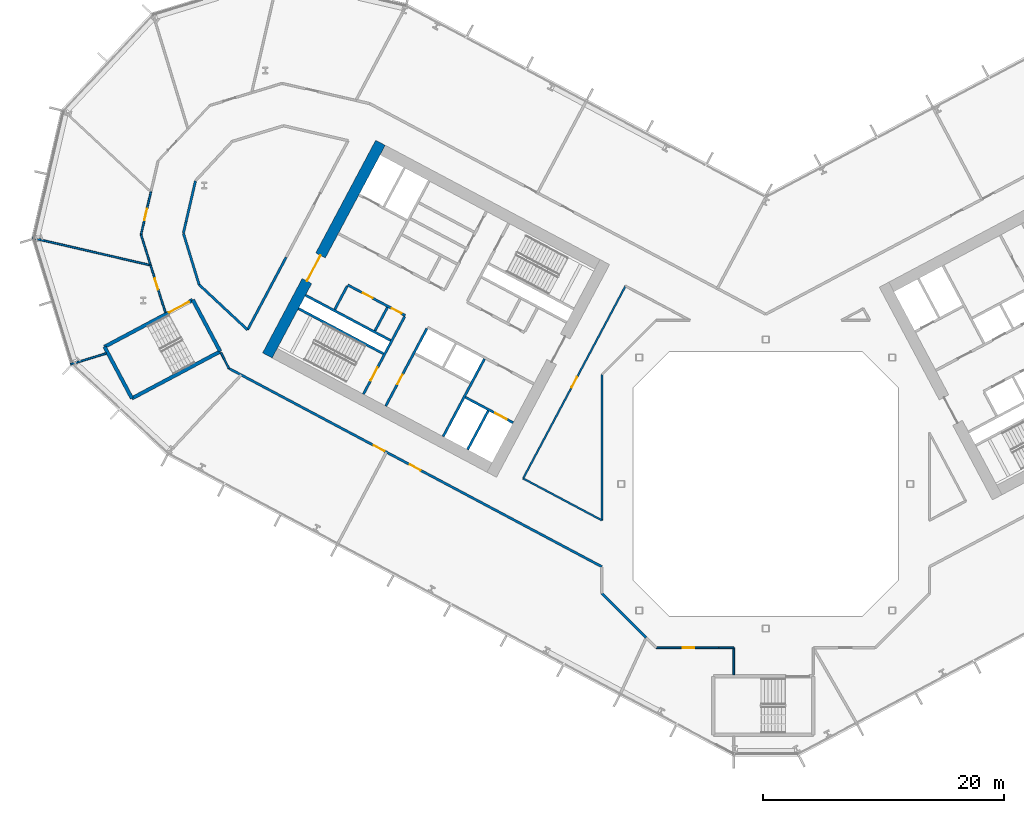
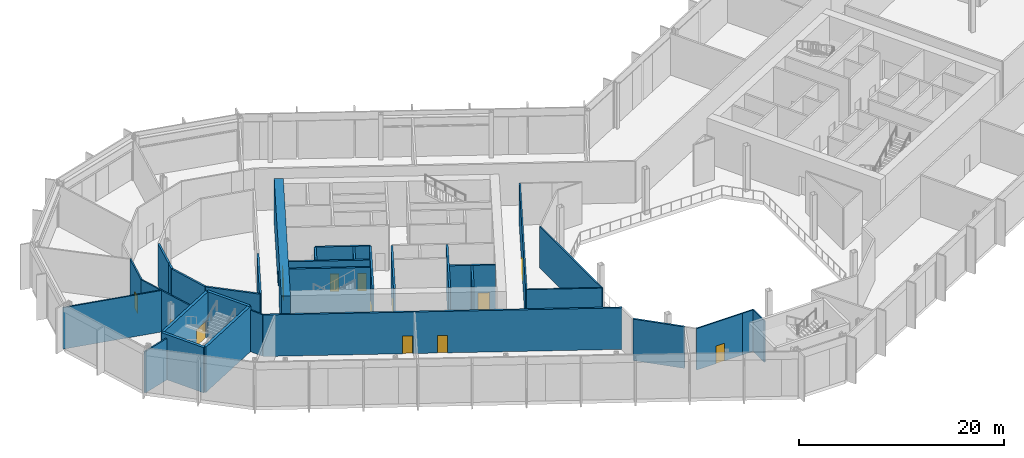
# One storey, part 12 of 31: 34 walls, 13 doors, 13 openings.
"""IFC4 building model written with IfcOpenShell, lengths in metres."""

from ifc_helpers import new_model, si_unit, direction, frame, frame_2d, origin, place, context, subcontext, project, spatial, rectangle, extrude, material, layer, layer_set, type_object, element, fill, save


model = new_model("IFC4")

# Units and contexts
model_context = context("Model", 3, precision=1e-05, world=origin(), true_north=direction((0.0, 1.0)))
body_context = subcontext(model_context, "Body", "Model", "MODEL_VIEW")
ifc_project = project(units=[si_unit("LENGTHUNIT", "METRE"), si_unit("AREAUNIT", "SQUARE_METRE"), si_unit("VOLUMEUNIT", "CUBIC_METRE"), si_unit("PLANEANGLEUNIT", "RADIAN"), si_unit("MASSUNIT", "GRAM", prefix="KILO")], contexts=[model_context])

# Site, building, storey
site_placement = place(None, origin())
site = spatial("IfcSite", under=ifc_project, at=site_placement, CompositionType="ELEMENT")
building_placement = place(site_placement, origin())
building = spatial("IfcBuilding", under=site, at=building_placement, Name="Cormorant Relay Tower", CompositionType="ELEMENT")
storey_placement = place(building_placement, frame((0.0, 0.0, 50.0)))
storey = spatial("IfcBuildingStorey", under=building, at=storey_placement, Name="L09", CompositionType="ELEMENT", Elevation=50.0)

# Walls
ifc_material_1 = material(Name="Concrete 40 MPa", Category="concrete")
ifc_layer_1 = layer(ifc_material_1, 0.199951171875)
ifc_layer_set_1 = layer_set([ifc_layer_1], Name="Core internal wall 200")
wall_type_1 = type_object("IfcWallType", Name="Core internal wall 200", PredefinedType="SOLIDWALL", material=ifc_layer_set_1)
wall_1_placement = place(storey_placement, frame((-31.41259765625, 14.663818359375, 0.0), z_axis=(0.0, 0.0, 1.0), x_axis=(-0.469533832133, -0.882914480843, 0.0)))
element("IfcWall", 1, at=wall_1_placement, inside=storey, type_object=wall_type_1, Name="L09 core A shaft and room wall", PredefinedType="SOLIDWALL", context=body_context, shape_type="SweptSolid", body=[
    extrude(rectangle(XDim=2.199951171875, YDim=0.199951171875, at=frame_2d((1.10009765625, 0.0))), origin(), (0.0, 0.0, 1.0), 5.39990234375),
])
ifc_material_2 = material(Name="Concrete 50 MPa", Category="concrete")
ifc_layer_2 = layer(ifc_material_2, 0.199951171875)
ifc_layer_set_2 = layer_set([ifc_layer_2], Name="Core shaft wall 200")
wall_type_2 = type_object("IfcWallType", Name="Core shaft wall 200", PredefinedType="SHEAR", material=ifc_layer_set_2)
wall_2_placement = place(storey_placement, frame((-23.04296875, 6.07958984375, 0.0), z_axis=(0.0, 0.0, 1.0), x_axis=(-0.469494272526, -0.882935517501, 0.0)))
element("IfcWall", 2, at=wall_2_placement, inside=storey, type_object=wall_type_2, Name="L09 core A shaft wall", PredefinedType="SHEAR", context=body_context, shape_type="SweptSolid", body=[
    extrude(rectangle(XDim=3.64990234375, YDim=0.199951171875, at=frame_2d((1.824951171875, 0.0))), origin(), (0.0, 0.0, 1.0), 5.39990234375),
])
wall_3_placement = place(storey_placement, frame((-23.360107421875, 10.38232421875, 0.0), z_axis=(0.0, 0.0, 1.0), x_axis=(-0.469480409012, -0.88294288918, 0.0)))
element("IfcWall", 3, at=wall_3_placement, inside=storey, type_object=wall_type_2, Name="L09 core A shaft wall", PredefinedType="SHEAR", context=body_context, shape_type="SweptSolid", body=[
    extrude(rectangle(XDim=7.300048828125, YDim=0.199951171875, at=frame_2d((3.64990234375, 0.0))), origin(), (0.0, 0.0, 1.0), 5.39990234375),
])

# Wall, opening, door
wall_4_placement = place(storey_placement, frame((-28.128173828125, 12.91748046875, 0.0), z_axis=(0.0, 0.0, 1.0), x_axis=(-0.469454336211, -0.882956752176, 0.0)))
wall_4 = element("IfcWall", 4, at=wall_4_placement, inside=storey, type_object=wall_type_2, Name="L09 core A shaft wall", PredefinedType="SHEAR", context=body_context, shape_type="SweptSolid", body=[
    extrude(rectangle(XDim=7.300048828125, YDim=0.199951171875, at=frame_2d((3.64990234375, 0.0))), origin(), (0.0, 0.0, 1.0), 5.39990234375),
])
opening_1_placement = place(wall_4_placement, frame((4.35009765625, 0.0, 0.0)))
opening_1 = element("IfcOpeningElement", 5, at=opening_1_placement, cuts=wall_4, Name="Opening CDD-096", PredefinedType="OPENING", context=body_context, shape_type="SweptSolid", body=[
    extrude(rectangle(XDim=0.89990234375, YDim=2.10009765625, at=frame_2d((0.449951171875, 1.050048828125))), frame((0.0, 0.10986328125, 0.0), z_axis=(0.0, -1.0, 0.0), x_axis=(1.0, 0.0, 0.0)), (0.0, 0.0, 1.0), 0.219970703125),
])
ifc_material_3 = material(Name="Steel fire door", Category="steel")
door_type_1 = type_object("IfcDoorType", Name="Core room door 900x2100", OperationType="SINGLE_SWING_LEFT", PredefinedType="DOOR", material=ifc_material_3)
door_1_placement = place(opening_1_placement, origin())
door_1 = element("IfcDoor", 6, at=door_1_placement, inside=storey, type_object=door_type_1, Name="Core room door 900x2100", OperationType="SINGLE_SWING_LEFT", OverallHeight=2.10009765625, OverallWidth=0.89990234375, PredefinedType="DOOR", context=body_context, shape_type="SweptSolid", body=[
    extrude(rectangle(XDim=0.89990234375, YDim=2.10009765625, at=frame_2d((0.449951171875, 1.050048828125))), frame((0.0, 0.02490234375, 0.0), z_axis=(0.0, -1.0, 0.0), x_axis=(1.0, 0.0, 0.0)), (0.0, 0.0, 1.0), 0.050048828125),
])
fill(opening_1, door_1)

wall_5_placement = place(storey_placement, frame((-29.982421875, 13.9033203125, 0.0), z_axis=(0.0, 0.0, 1.0), x_axis=(-0.469454336211, -0.882956752176, 0.0)))
wall_5 = element("IfcWall", 7, at=wall_5_placement, inside=storey, type_object=wall_type_2, Name="L09 core A shaft wall", PredefinedType="SHEAR", context=body_context, shape_type="SweptSolid", body=[
    extrude(rectangle(XDim=7.300048828125, YDim=0.199951171875, at=frame_2d((3.64990234375, 0.0))), origin(), (0.0, 0.0, 1.0), 5.39990234375),
])
opening_2_placement = place(wall_5_placement, frame((4.800048828125, 0.0, 0.0)))
opening_2 = element("IfcOpeningElement", 8, at=opening_2_placement, cuts=wall_5, Name="Opening CDB-020", PredefinedType="OPENING", context=body_context, shape_type="SweptSolid", body=[
    extrude(rectangle(XDim=1.199951171875, YDim=2.10009765625, at=frame_2d((0.60009765625, 1.050048828125))), frame((0.0, 0.10986328125, 0.0), z_axis=(0.0, -1.0, 0.0), x_axis=(1.0, 0.0, 0.0)), (0.0, 0.0, 1.0), 0.219970703125),
])
ifc_material_4 = material(Name="Steel fire door", Category="steel")
door_type_2 = type_object("IfcDoorType", Name="Core stair door 1200x2100", OperationType="SINGLE_SWING_LEFT", PredefinedType="DOOR", material=ifc_material_4)
door_2_placement = place(opening_2_placement, frame((1.199951171875, 0.0, 0.0), z_axis=(0.0, 0.0, 1.0), x_axis=(-1.0, 0.0, 0.0)))
door_2 = element("IfcDoor", 9, at=door_2_placement, inside=storey, type_object=door_type_2, Name="Core stair door 1200x2100", OperationType="SINGLE_SWING_RIGHT", OverallHeight=2.10009765625, OverallWidth=1.199951171875, PredefinedType="DOOR", context=body_context, shape_type="SweptSolid", body=[
    extrude(rectangle(XDim=1.199951171875, YDim=2.10009765625, at=frame_2d((0.60009765625, 1.050048828125))), frame((0.0, 0.02490234375, 0.0), z_axis=(0.0, -1.0, 0.0), x_axis=(1.0, 0.0, 0.0)), (0.0, 0.0, 1.0), 0.050048828125),
])
fill(opening_2, door_2)

# Wall
wall_6_placement = place(storey_placement, frame((-34.750244140625, 16.4384765625, 0.0), z_axis=(0.0, 0.0, 1.0), x_axis=(-0.469401318492, -0.882984938828, 0.0)))
element("IfcWall", 10, at=wall_6_placement, inside=storey, type_object=wall_type_2, Name="L09 core A shaft wall", PredefinedType="SHEAR", context=body_context, shape_type="SweptSolid", body=[
    extrude(rectangle(XDim=2.199951171875, YDim=0.199951171875, at=frame_2d((1.10009765625, 0.0))), origin(), (0.0, 0.0, 1.0), 5.39990234375),
])

# Wall, openings, doors
wall_7_placement = place(storey_placement, frame((-29.935302734375, 13.991455078125, 0.0), z_axis=(0.0, 0.0, 1.0), x_axis=(-0.882952937579, 0.469461510692, 0.0)))
wall_7 = element("IfcWall", 11, at=wall_7_placement, inside=storey, type_object=wall_type_2, Name="L09 core A shaft wall", PredefinedType="SHEAR", context=body_context, shape_type="SweptSolid", body=[
    extrude(rectangle(XDim=5.400146484375, YDim=0.199951171875, at=frame_2d((2.7001953125, 0.0))), origin(), (0.0, 0.0, 1.0), 5.39990234375),
])
opening_3_placement = place(wall_7_placement, frame((0.360107421875, 0.0, 0.0)))
opening_3 = element("IfcOpeningElement", 12, at=opening_3_placement, cuts=wall_7, Name="Opening CDD-063", PredefinedType="OPENING", context=body_context, shape_type="SweptSolid", body=[
    extrude(rectangle(XDim=0.89990234375, YDim=2.10009765625, at=frame_2d((0.449951171875, 1.050048828125))), frame((0.0, 0.10986328125, 0.0), z_axis=(0.0, -1.0, 0.0), x_axis=(1.0, 0.0, 0.0)), (0.0, 0.0, 1.0), 0.219970703125),
])
opening_4_placement = place(wall_7_placement, frame((3.06005859375, 0.0, 0.0)))
opening_4 = element("IfcOpeningElement", 13, at=opening_4_placement, cuts=wall_7, Name="Opening CDD-064", PredefinedType="OPENING", context=body_context, shape_type="SweptSolid", body=[
    extrude(rectangle(XDim=0.89990234375, YDim=2.10009765625, at=frame_2d((0.449951171875, 1.050048828125))), frame((0.0, 0.10986328125, 0.0), z_axis=(0.0, -1.0, 0.0), x_axis=(1.0, 0.0, 0.0)), (0.0, 0.0, 1.0), 0.219970703125),
])
door_3_placement = place(opening_3_placement, origin())
door_3 = element("IfcDoor", 14, at=door_3_placement, inside=storey, type_object=door_type_1, Name="Core room door 900x2100", OperationType="SINGLE_SWING_LEFT", OverallHeight=2.10009765625, OverallWidth=0.89990234375, PredefinedType="DOOR", context=body_context, shape_type="SweptSolid", body=[
    extrude(rectangle(XDim=0.89990234375, YDim=2.10009765625, at=frame_2d((0.449951171875, 1.050048828125))), frame((0.0, 0.02490234375, 0.0), z_axis=(0.0, -1.0, 0.0), x_axis=(1.0, 0.0, 0.0)), (0.0, 0.0, 1.0), 0.050048828125),
])
fill(opening_3, door_3)
door_4_placement = place(opening_4_placement, origin())
door_4 = element("IfcDoor", 15, at=door_4_placement, inside=storey, type_object=door_type_1, Name="Core room door 900x2100", OperationType="SINGLE_SWING_LEFT", OverallHeight=2.10009765625, OverallWidth=0.89990234375, PredefinedType="DOOR", context=body_context, shape_type="SweptSolid", body=[
    extrude(rectangle(XDim=0.89990234375, YDim=2.10009765625, at=frame_2d((0.449951171875, 1.050048828125))), frame((0.0, 0.02490234375, 0.0), z_axis=(0.0, -1.0, 0.0), x_axis=(1.0, 0.0, 0.0)), (0.0, 0.0, 1.0), 0.050048828125),
])
fill(opening_4, door_4)

# Wall
wall_8_placement = place(storey_placement, frame((-31.150390625, 11.91943359375, 0.0), z_axis=(0.0, 0.0, 1.0), x_axis=(-0.882940221191, 0.469485426614, 0.0)))
element("IfcWall", 16, at=wall_8_placement, inside=storey, type_object=wall_type_2, Name="L09 core A shaft wall", PredefinedType="SHEAR", context=body_context, shape_type="SweptSolid", body=[
    extrude(rectangle(XDim=8.0, YDim=0.199951171875, at=frame_2d((4.0, 0.0))), origin(), (0.0, 0.0, 1.0), 5.39990234375),
])

# Wall, opening, door
wall_9_placement = place(storey_placement, frame((-20.96533203125, 5.088134765625, 0.0), z_axis=(0.0, 0.0, 1.0), x_axis=(-0.882925986334, 0.469512196493, 0.0)))
wall_9 = element("IfcWall", 17, at=wall_9_placement, inside=storey, type_object=wall_type_2, Name="L09 core A shaft wall", PredefinedType="SHEAR", context=body_context, shape_type="SweptSolid", body=[
    extrude(rectangle(XDim=4.5, YDim=0.199951171875, at=frame_2d((2.25, 0.0))), origin(), (0.0, 0.0, 1.0), 5.39990234375),
])
opening_5_placement = place(wall_9_placement, frame((0.60009765625, 0.0, 0.0)))
opening_5 = element("IfcOpeningElement", 18, at=opening_5_placement, cuts=wall_9, Name="Opening LD1-019", PredefinedType="OPENING", context=body_context, shape_type="SweptSolid", body=[
    extrude(rectangle(XDim=1.10009765625, YDim=2.10009765625, at=frame_2d((0.550048828125, 1.050048828125))), frame((0.0, 0.10986328125, 0.0), z_axis=(0.0, -1.0, 0.0), x_axis=(1.0, 0.0, 0.0)), (0.0, 0.0, 1.0), 0.219970703125),
])
ifc_material_5 = material(Name="Stainless steel 316", Category="steel")
door_type_3 = type_object("IfcDoorType", Name="Lift landing door 1100x2100", OperationType="DOUBLE_DOOR_SLIDING", PredefinedType="DOOR", material=ifc_material_5)
door_5_placement = place(opening_5_placement, origin())
door_5 = element("IfcDoor", 19, at=door_5_placement, inside=storey, type_object=door_type_3, Name="FF1 landing door", OperationType="DOUBLE_DOOR_SLIDING", OverallHeight=2.10009765625, OverallWidth=1.10009765625, PredefinedType="DOOR", context=body_context, shape_type="SweptSolid", body=[
    extrude(rectangle(XDim=1.10009765625, YDim=2.10009765625, at=frame_2d((0.550048828125, 1.050048828125))), frame((0.0, 0.02490234375, 0.0), z_axis=(0.0, -1.0, 0.0), x_axis=(1.0, 0.0, 0.0)), (0.0, 0.0, 1.0), 0.050048828125),
])
fill(opening_5, door_5)

# Wall
wall_10_placement = place(storey_placement, frame((-31.7373046875, 10.815673828125, 0.0), z_axis=(0.0, 0.0, 1.0), x_axis=(-0.882940221191, 0.469485426614, 0.0)))
element("IfcWall", 20, at=wall_10_placement, inside=storey, type_object=wall_type_2, Name="L09 core A shaft wall", PredefinedType="SHEAR", context=body_context, shape_type="SweptSolid", body=[
    extrude(rectangle(XDim=8.0, YDim=0.199951171875, at=frame_2d((4.0, 0.0))), origin(), (0.0, 0.0, 1.0), 5.39990234375),
])

# Wall, opening, door
ifc_material_6 = material(Name="Concrete 70 MPa", Category="concrete")
ifc_layer_3 = layer(ifc_material_6, 0.89990234375)
ifc_layer_set_3 = layer_set([ifc_layer_3], Name="Core wall 900")
wall_type_3 = type_object("IfcWallType", Name="Core wall 900", PredefinedType="SHEAR", material=ifc_layer_set_3)
wall_11_placement = place(storey_placement, frame((-31.99169921875, 28.3359375, 0.0), z_axis=(0.0, 0.0, 1.0), x_axis=(-0.46947084998, -0.882947971864, 0.0)))
wall_11 = element("IfcWall", 21, at=wall_11_placement, inside=storey, type_object=wall_type_3, Name="L09 core A wall", PredefinedType="SHEAR", context=body_context, shape_type="SweptSolid", body=[
    extrude(rectangle(XDim=20.0, YDim=0.89990234375, at=frame_2d((10.0, 0.0))), origin(), (0.0, 0.0, 1.0), 5.39990234375),
])
opening_6_placement = place(wall_11_placement, frame((10.60009765625, 0.0, 0.0)))
opening_6 = element("IfcOpeningElement", 22, at=opening_6_placement, cuts=wall_11, Name="Opening CDA-014", PredefinedType="OPENING", context=body_context, shape_type="SweptSolid", body=[
    extrude(rectangle(XDim=2.39990234375, YDim=2.39990234375, at=frame_2d((1.199951171875, 1.199951171875))), frame((0.0, 0.4599609375, 0.0), z_axis=(0.0, -1.0, 0.0), x_axis=(1.0, 0.0, 0.0)), (0.0, 0.0, 1.0), 0.919921875),
])
ifc_material_7 = material(Name="Steel fire door", Category="steel")
door_type_4 = type_object("IfcDoorType", Name="Core lobby door 2400x2400", OperationType="DOUBLE_DOOR_SINGLE_SWING", PredefinedType="DOOR", material=ifc_material_7)
door_6_placement = place(opening_6_placement, origin())
door_6 = element("IfcDoor", 23, at=door_6_placement, inside=storey, type_object=door_type_4, Name="Core lobby door 2400x2400", OperationType="DOUBLE_DOOR_SINGLE_SWING", OverallHeight=2.39990234375, OverallWidth=2.39990234375, PredefinedType="DOOR", context=body_context, shape_type="SweptSolid", body=[
    extrude(rectangle(XDim=2.39990234375, YDim=2.39990234375, at=frame_2d((1.199951171875, 1.199951171875))), frame((0.0, 0.02490234375, 0.0), z_axis=(0.0, -1.0, 0.0), x_axis=(1.0, 0.0, 0.0)), (0.0, 0.0, 1.0), 0.050048828125),
])
fill(opening_6, door_6)

# Walls
ifc_material_8 = material(Name="Fire-rated gypsum board partition")
ifc_layer_4 = layer(ifc_material_8, 0.199951171875)
ifc_layer_set_4 = layer_set([ifc_layer_4], Name="Fire-rated gypsum partition 200")
wall_type_4 = type_object("IfcWallType", Name="Fire-rated gypsum partition 200", PredefinedType="PARTITIONING", material=ifc_layer_set_4)
wall_12_placement = place(storey_placement, frame((-48.137939453125, 21.76806640625, 0.0), z_axis=(0.0, 0.0, 1.0), x_axis=(0.224910471472, 0.974379433189, 0.0)))
element("IfcWall", 24, at=wall_12_placement, inside=storey, type_object=wall_type_4, Name="wall/L09/part/12", PredefinedType="PARTITIONING", context=body_context, shape_type="SweptSolid", body=[
    extrude(rectangle(XDim=3.49853515625, YDim=0.199951171875, at=frame_2d((1.749267578125, 0.0))), origin(), (0.0, 0.0, 1.0), 4.949951171875),
])
wall_13_placement = place(storey_placement, frame((-43.02587890625, 12.802001953125, 0.0), z_axis=(0.0, 0.0, 1.0), x_axis=(-0.731412266015, 0.68193555203, 0.0)))
element("IfcWall", 25, at=wall_13_placement, inside=storey, type_object=wall_type_4, Name="wall/L09/part/14", PredefinedType="PARTITIONING", context=body_context, shape_type="SweptSolid", body=[
    extrude(rectangle(XDim=5.501953125, YDim=0.199951171875, at=frame_2d((2.7509765625, 0.0))), origin(), (0.0, 0.0, 1.0), 4.949951171875),
])
wall_14_placement = place(storey_placement, frame((-47.050048828125, 16.553955078125, 0.0), z_axis=(0.0, 0.0, 1.0), x_axis=(-0.292399072869, 0.956296388253, 0.0)))
element("IfcWall", 26, at=wall_14_placement, inside=storey, type_object=wall_type_4, Name="wall/L09/part/15", PredefinedType="PARTITIONING", context=body_context, shape_type="SweptSolid", body=[
    extrude(rectangle(XDim=4.466064453125, YDim=0.199951171875, at=frame_2d((2.23291015625, 0.0))), origin(), (0.0, 0.0, 1.0), 4.949951171875),
])
wall_15_placement = place(storey_placement, frame((-48.35595703125, 20.824951171875, 0.0), z_axis=(0.0, 0.0, 1.0), x_axis=(0.225227894395, 0.974306109796, 0.0)))
element("IfcWall", 27, at=wall_15_placement, inside=storey, type_object=wall_type_4, Name="wall/L09/part/16", PredefinedType="PARTITIONING", context=body_context, shape_type="SweptSolid", body=[
    extrude(rectangle(XDim=0.968017578125, YDim=0.199951171875, at=frame_2d((0.48388671875, 0.0))), origin(), (0.0, 0.0, 1.0), 4.949951171875),
])

# Wall, openings, doors
wall_16_placement = place(storey_placement, frame((-13.60009765625, -6.868896484375, 0.0), z_axis=(0.0, 0.0, 1.0), x_axis=(-0.88295406426, 0.469459391648, 0.0)))
wall_16 = element("IfcWall", 28, at=wall_16_placement, inside=storey, type_object=wall_type_4, Name="wall/L09/part/21", PredefinedType="PARTITIONING", context=body_context, shape_type="SweptSolid", body=[
    extrude(rectangle(XDim=35.091064453125, YDim=0.199951171875, at=frame_2d((17.54541015625, 0.0))), origin(), (0.0, 0.0, 1.0), 4.949951171875),
])
opening_7_placement = place(wall_16_placement, frame((20.449951171875, 0.0, 0.0)))
opening_7 = element("IfcOpeningElement", 29, at=opening_7_placement, cuts=wall_16, Name="Opening FD1-051", PredefinedType="OPENING", context=body_context, shape_type="SweptSolid", body=[
    extrude(rectangle(XDim=1.0, YDim=2.10009765625, at=frame_2d((0.5, 1.050048828125))), frame((0.0, 0.10986328125, 0.0), z_axis=(0.0, -1.0, 0.0), x_axis=(1.0, 0.0, 0.0)), (0.0, 0.0, 1.0), 0.219970703125),
])
opening_8_placement = place(wall_16_placement, frame((17.050048828125, 0.0, 0.0)))
opening_8 = element("IfcOpeningElement", 30, at=opening_8_placement, cuts=wall_16, Name="Opening FD1-052", PredefinedType="OPENING", context=body_context, shape_type="SweptSolid", body=[
    extrude(rectangle(XDim=1.0, YDim=2.10009765625, at=frame_2d((0.5, 1.050048828125))), frame((0.0, 0.10986328125, 0.0), z_axis=(0.0, -1.0, 0.0), x_axis=(1.0, 0.0, 0.0)), (0.0, 0.0, 1.0), 0.219970703125),
])
ifc_material_9 = material(Name="Fire-rated steel door", Category="steel")
door_type_5 = type_object("IfcDoorType", Name="Fire door 1000 x 2100", OperationType="SINGLE_SWING_LEFT", PredefinedType="DOOR", material=ifc_material_9)
door_7_placement = place(opening_7_placement, origin())
door_7 = element("IfcDoor", 31, at=door_7_placement, inside=storey, type_object=door_type_5, Name="door/L09/18", OperationType="SINGLE_SWING_LEFT", OverallHeight=2.10009765625, OverallWidth=1.0, PredefinedType="DOOR", context=body_context, shape_type="SweptSolid", body=[
    extrude(rectangle(XDim=1.0, YDim=2.10009765625, at=frame_2d((0.5, 1.050048828125))), frame((0.0, 0.02490234375, 0.0), z_axis=(0.0, -1.0, 0.0), x_axis=(1.0, 0.0, 0.0)), (0.0, 0.0, 1.0), 0.050048828125),
])
fill(opening_7, door_7)
door_8_placement = place(opening_8_placement, origin())
door_8 = element("IfcDoor", 32, at=door_8_placement, inside=storey, type_object=door_type_5, Name="door/L09/19", OperationType="SINGLE_SWING_LEFT", OverallHeight=2.10009765625, OverallWidth=1.0, PredefinedType="DOOR", context=body_context, shape_type="SweptSolid", body=[
    extrude(rectangle(XDim=1.0, YDim=2.10009765625, at=frame_2d((0.5, 1.050048828125))), frame((0.0, 0.02490234375, 0.0), z_axis=(0.0, -1.0, 0.0), x_axis=(1.0, 0.0, 0.0)), (0.0, 0.0, 1.0), 0.050048828125),
])
fill(opening_8, door_8)

# Walls
wall_17_placement = place(storey_placement, frame((-39.825927734375, 18.820068359375, 0.0), z_axis=(0.0, 0.0, 1.0), x_axis=(-0.469481685648, -0.882942210363, 0.0)))
element("IfcWall", 33, at=wall_17_placement, inside=storey, type_object=wall_type_4, Name="wall/L09/part/23", PredefinedType="PARTITIONING", context=body_context, shape_type="SweptSolid", body=[
    extrude(rectangle(XDim=6.81591796875, YDim=0.199951171875, at=frame_2d((3.407958984375, 0.0))), origin(), (0.0, 0.0, 1.0), 4.949951171875),
])
wall_18_placement = place(storey_placement, frame((-9.91796875, -12.759033203125, 0.0), z_axis=(0.0, 0.0, 1.0), x_axis=(-0.707106781187, 0.707106781187, 0.0)))
element("IfcWall", 34, at=wall_18_placement, inside=storey, type_object=wall_type_4, Name="wall/L09/part/39", PredefinedType="PARTITIONING", context=body_context, shape_type="SweptSolid", body=[
    extrude(rectangle(XDim=5.207275390625, YDim=0.199951171875, at=frame_2d((2.603515625, 0.0))), origin(), (0.0, 0.0, 1.0), 4.949951171875),
])
ifc_material_10 = material(Name="Gypsum board partition")
ifc_layer_5 = layer(ifc_material_10, 0.14990234375)
ifc_layer_set_5 = layer_set([ifc_layer_5], Name="Gypsum board partition 150")
wall_type_5 = type_object("IfcWallType", Name="Gypsum board partition 150", PredefinedType="PARTITIONING", material=ifc_layer_set_5)
wall_19_placement = place(storey_placement, frame((-51.080078125, 18.16796875, 0.0), z_axis=(0.0, 0.0, 1.0), x_axis=(-0.974375306075, 0.224928350615, 0.0)))
element("IfcWall", 35, at=wall_19_placement, inside=storey, type_object=wall_type_5, Name="wall/L09/part/1", PredefinedType="PARTITIONING", context=body_context, shape_type="SweptSolid", body=[
    extrude(rectangle(XDim=10.100830078125, YDim=0.14990234375, at=frame_2d((5.05029296875, 0.0))), origin(), (0.0, 0.0, 1.0), 4.949951171875),
])
wall_20_placement = place(storey_placement, frame((-54.7607421875, 10.847900390625, 0.0), z_axis=(0.0, 0.0, 1.0), x_axis=(-0.956301064033, -0.29238378021, 0.0)))
element("IfcWall", 36, at=wall_20_placement, inside=storey, type_object=wall_type_5, Name="wall/L09/part/3", PredefinedType="PARTITIONING", context=body_context, shape_type="SweptSolid", body=[
    extrude(rectangle(XDim=3.115478515625, YDim=0.14990234375, at=frame_2d((1.5576171875, 0.0))), origin(), (0.0, 0.0, 1.0), 4.949951171875),
])

# Wall, opening, door
wall_21_placement = place(storey_placement, frame((-51.041015625, 24.31103515625, 0.0), z_axis=(0.0, 0.0, 1.0), x_axis=(-0.224893203367, -0.974383418927, 0.0)))
wall_21 = element("IfcWall", 37, at=wall_21_placement, inside=storey, type_object=wall_type_5, Name="wall/L09/part/4", PredefinedType="PARTITIONING", context=body_context, shape_type="SweptSolid", body=[
    extrude(rectangle(XDim=3.7041015625, YDim=0.14990234375, at=frame_2d((1.85205078125, 0.0))), origin(), (0.0, 0.0, 1.0), 4.949951171875),
])
opening_9_placement = place(wall_21_placement, frame((1.48193359375, 0.0, 0.0)))
opening_9 = element("IfcOpeningElement", 38, at=opening_9_placement, cuts=wall_21, Name="Opening D1-020", PredefinedType="OPENING", context=body_context, shape_type="SweptSolid", body=[
    extrude(rectangle(XDim=1.0, YDim=2.10009765625, at=frame_2d((0.5, 1.050048828125))), frame((0.0, 0.0849609375, 0.0), z_axis=(0.0, -1.0, 0.0), x_axis=(1.0, 0.0, 0.0)), (0.0, 0.0, 1.0), 0.169921875),
])
ifc_material_11 = material(Name="Painted steel door", Category="steel")
door_type_6 = type_object("IfcDoorType", Name="Single door 1000 x 2100", OperationType="SINGLE_SWING_LEFT", PredefinedType="DOOR", material=ifc_material_11)
door_9_placement = place(opening_9_placement, frame((1.0, 0.0, 0.0), z_axis=(0.0, 0.0, 1.0), x_axis=(-1.0, 0.0, 0.0)))
door_9 = element("IfcDoor", 39, at=door_9_placement, inside=storey, type_object=door_type_6, Name="door/L09/16", OperationType="SINGLE_SWING_RIGHT", OverallHeight=2.10009765625, OverallWidth=1.0, PredefinedType="DOOR", context=body_context, shape_type="SweptSolid", body=[
    extrude(rectangle(XDim=1.0, YDim=2.10009765625, at=frame_2d((0.5, 1.050048828125))), frame((0.0, 0.02490234375, 0.0), z_axis=(0.0, -1.0, 0.0), x_axis=(1.0, 0.0, 0.0)), (0.0, 0.0, 1.0), 0.050048828125),
])
fill(opening_9, door_9)

# Wall
wall_22_placement = place(storey_placement, frame((-51.8740234375, 20.701904296875, 0.0), z_axis=(0.0, 0.0, 1.0), x_axis=(0.299019355328, -0.954247046178, 0.0)))
element("IfcWall", 40, at=wall_22_placement, inside=storey, type_object=wall_type_5, Name="wall/L09/part/5", PredefinedType="PARTITIONING", context=body_context, shape_type="SweptSolid", body=[
    extrude(rectangle(XDim=2.595458984375, YDim=0.14990234375, at=frame_2d((1.2978515625, 0.0))), origin(), (0.0, 0.0, 1.0), 4.949951171875),
])

# Wall, opening, door
wall_23_placement = place(storey_placement, frame((-49.847412109375, 14.233642578125, 0.0), z_axis=(0.0, 0.0, 1.0), x_axis=(-0.29896287329, 0.954264743346, 0.0)))
wall_23 = element("IfcWall", 41, at=wall_23_placement, inside=storey, type_object=wall_type_5, Name="wall/L09/part/6", PredefinedType="PARTITIONING", context=body_context, shape_type="SweptSolid", body=[
    extrude(rectangle(XDim=4.182861328125, YDim=0.14990234375, at=frame_2d((2.09130859375, 0.0))), origin(), (0.0, 0.0, 1.0), 4.949951171875),
])
opening_10_placement = place(wall_23_placement, frame((2.014892578125, 0.0, 0.0)))
opening_10 = element("IfcOpeningElement", 42, at=opening_10_placement, cuts=wall_23, Name="Opening D2-007", PredefinedType="OPENING", context=body_context, shape_type="SweptSolid", body=[
    extrude(rectangle(XDim=0.949951171875, YDim=2.10009765625, at=frame_2d((0.47509765625, 1.050048828125))), frame((0.0, 0.0849609375, 0.0), z_axis=(0.0, -1.0, 0.0), x_axis=(1.0, 0.0, 0.0)), (0.0, 0.0, 1.0), 0.169921875),
])
ifc_material_12 = material(Name="Timber door", Category="wood")
door_type_7 = type_object("IfcDoorType", Name="Toilet door 950 x 2100", OperationType="SINGLE_SWING_LEFT", PredefinedType="DOOR", material=ifc_material_12)
door_10_placement = place(opening_10_placement, origin())
door_10 = element("IfcDoor", 43, at=door_10_placement, inside=storey, type_object=door_type_7, Name="door/L09/17", OperationType="SINGLE_SWING_RIGHT", OverallHeight=2.10009765625, OverallWidth=0.949951171875, PredefinedType="DOOR", context=body_context, shape_type="SweptSolid", body=[
    extrude(rectangle(XDim=0.949951171875, YDim=2.10009765625, at=frame_2d((0.47509765625, 1.050048828125))), frame((0.0, 0.02490234375, 0.0), z_axis=(0.0, -1.0, 0.0), x_axis=(1.0, 0.0, 0.0)), (0.0, 0.0, 1.0), 0.050048828125),
])
fill(opening_10, door_10)

# Wall
wall_24_placement = place(storey_placement, frame((-44.583984375, 9.60498046875, 0.0), z_axis=(0.0, 0.0, 1.0), x_axis=(-0.445453249083, 0.895305200968, 0.0)))
element("IfcWall", 44, at=wall_24_placement, inside=storey, type_object=wall_type_5, Name="wall/L09/part/22", PredefinedType="PARTITIONING", context=body_context, shape_type="SweptSolid", body=[
    extrude(rectangle(XDim=1.443115234375, YDim=0.14990234375, at=frame_2d((0.7216796875, 0.0))), origin(), (0.0, 0.0, 1.0), 4.949951171875),
])

# Wall, opening, door
wall_25_placement = place(storey_placement, frame((-20.14208984375, 0.4599609375, 0.0), z_axis=(0.0, 0.0, 1.0), x_axis=(0.469506937019, 0.882928783136, 0.0)))
wall_25 = element("IfcWall", 45, at=wall_25_placement, inside=storey, type_object=wall_type_5, Name="wall/L09/part/35", PredefinedType="PARTITIONING", context=body_context, shape_type="SweptSolid", body=[
    extrude(rectangle(XDim=18.099853515625, YDim=0.14990234375, at=frame_2d((9.0498046875, 0.0))), origin(), (0.0, 0.0, 1.0), 4.949951171875),
])
opening_11_placement = place(wall_25_placement, frame((8.550048828125, 0.0, 0.0)))
opening_11 = element("IfcOpeningElement", 46, at=opening_11_placement, cuts=wall_25, Name="Opening D1-021", PredefinedType="OPENING", context=body_context, shape_type="SweptSolid", body=[
    extrude(rectangle(XDim=1.0, YDim=2.10009765625, at=frame_2d((0.5, 1.050048828125))), frame((0.0, 0.0849609375, 0.0), z_axis=(0.0, -1.0, 0.0), x_axis=(1.0, 0.0, 0.0)), (0.0, 0.0, 1.0), 0.169921875),
])
door_11_placement = place(opening_11_placement, frame((1.0, 0.0, 0.0), z_axis=(0.0, 0.0, 1.0), x_axis=(-1.0, 0.0, 0.0)))
door_11 = element("IfcDoor", 47, at=door_11_placement, inside=storey, type_object=door_type_6, Name="door/L09/2", OperationType="SINGLE_SWING_LEFT", OverallHeight=2.10009765625, OverallWidth=1.0, PredefinedType="DOOR", context=body_context, shape_type="SweptSolid", body=[
    extrude(rectangle(XDim=1.0, YDim=2.10009765625, at=frame_2d((0.5, 1.050048828125))), frame((0.0, 0.02490234375, 0.0), z_axis=(0.0, -1.0, 0.0), x_axis=(1.0, 0.0, 0.0)), (0.0, 0.0, 1.0), 0.050048828125),
])
fill(opening_11, door_11)

# Walls
wall_26_placement = place(storey_placement, frame((-13.60009765625, -3.01904296875, 0.0), z_axis=(0.0, 0.0, 1.0), x_axis=(-0.882915984826, 0.469531004022, 0.0)))
element("IfcWall", 48, at=wall_26_placement, inside=storey, type_object=wall_type_5, Name="wall/L09/part/37", PredefinedType="PARTITIONING", context=body_context, shape_type="SweptSolid", body=[
    extrude(rectangle(XDim=7.409423828125, YDim=0.14990234375, at=frame_2d((3.70458984375, 0.0))), origin(), (0.0, 0.0, 1.0), 4.949951171875),
])
wall_27_placement = place(storey_placement, frame((-13.60009765625, 9.076904296875, 0.0), z_axis=(0.0, 0.0, 1.0), x_axis=(0.0, -1.0, 0.0)))
element("IfcWall", 49, at=wall_27_placement, inside=storey, type_object=wall_type_5, Name="wall/L09/part/41", PredefinedType="PARTITIONING", context=body_context, shape_type="SweptSolid", body=[
    extrude(rectangle(XDim=12.095947265625, YDim=0.14990234375, at=frame_2d((6.0478515625, 0.0))), origin(), (0.0, 0.0, 1.0), 4.949951171875),
])

# Wall, opening, door
wall_28_placement = place(storey_placement, frame((-3.887939453125, -13.60009765625, 0.0), z_axis=(0.0, 0.0, 1.0), x_axis=(-1.0, 0.0, 0.0)))
wall_28 = element("IfcWall", 50, at=wall_28_placement, inside=storey, type_object=wall_type_5, Name="wall/L09/part/44", PredefinedType="PARTITIONING", context=body_context, shape_type="SweptSolid", body=[
    extrude(rectangle(XDim=5.18896484375, YDim=0.14990234375, at=frame_2d((2.594482421875, 0.0))), origin(), (0.0, 0.0, 1.0), 4.949951171875),
])
opening_12_placement = place(wall_28_placement, frame((2.050048828125, 0.0, 0.0)))
opening_12 = element("IfcOpeningElement", 51, at=opening_12_placement, cuts=wall_28, Name="Opening D2-008", PredefinedType="OPENING", context=body_context, shape_type="SweptSolid", body=[
    extrude(rectangle(XDim=0.949951171875, YDim=2.10009765625, at=frame_2d((0.47509765625, 1.050048828125))), frame((0.0, 0.0849609375, 0.0), z_axis=(0.0, -1.0, 0.0), x_axis=(1.0, 0.0, 0.0)), (0.0, 0.0, 1.0), 0.169921875),
])
door_12_placement = place(opening_12_placement, origin())
door_12 = element("IfcDoor", 52, at=door_12_placement, inside=storey, type_object=door_type_7, Name="door/L09/20", OperationType="SINGLE_SWING_LEFT", OverallHeight=2.10009765625, OverallWidth=0.949951171875, PredefinedType="DOOR", context=body_context, shape_type="SweptSolid", body=[
    extrude(rectangle(XDim=0.949951171875, YDim=2.10009765625, at=frame_2d((0.47509765625, 1.050048828125))), frame((0.0, 0.02490234375, 0.0), z_axis=(0.0, -1.0, 0.0), x_axis=(1.0, 0.0, 0.0)), (0.0, 0.0, 1.0), 0.050048828125),
])
fill(opening_12, door_12)

# Walls
wall_29_placement = place(storey_placement, frame((-2.64892578125, -15.840087890625, 0.0), z_axis=(0.0, 0.0, 1.0), x_axis=(0.0, 1.0, 0.0)))
element("IfcWall", 53, at=wall_29_placement, inside=storey, type_object=wall_type_5, Name="wall/L09/part/48", PredefinedType="PARTITIONING", context=body_context, shape_type="SweptSolid", body=[
    extrude(rectangle(XDim=2.239990234375, YDim=0.14990234375, at=frame_2d((1.1201171875, 0.0))), origin(), (0.0, 0.0, 1.0), 4.949951171875),
])
wall_30_placement = place(storey_placement, frame((-2.64892578125, -13.60009765625, 0.0), z_axis=(0.0, 0.0, 1.0), x_axis=(-1.0, 0.0, 0.0)))
element("IfcWall", 54, at=wall_30_placement, inside=storey, type_object=wall_type_5, Name="wall/L09/part/49", PredefinedType="PARTITIONING", context=body_context, shape_type="SweptSolid", body=[
    extrude(rectangle(XDim=1.239013671875, YDim=0.14990234375, at=frame_2d((0.61962890625, 0.0))), origin(), (0.0, 0.0, 1.0), 4.949951171875),
])
ifc_material_13 = material(Name="Concrete 50 MPa", Category="concrete")
ifc_layer_6 = layer(ifc_material_13, 0.300048828125)
ifc_layer_set_6 = layer_set([ifc_layer_6], Name="Remote stair wall 300")
wall_type_6 = type_object("IfcWallType", Name="Remote stair wall 300", PredefinedType="SHEAR", material=ifc_layer_set_6)
wall_31_placement = place(storey_placement, frame((-47.57421875, 15.28955078125, 0.0), z_axis=(0.0, 0.0, 1.0), x_axis=(0.469443498566, -0.882962514297, 0.0)))
element("IfcWall", 55, at=wall_31_placement, inside=storey, type_object=wall_type_6, Name="L09 exit stair RP1 wall", PredefinedType="SHEAR", context=body_context, shape_type="SweptSolid", body=[
    extrude(rectangle(XDim=4.85009765625, YDim=0.300048828125, at=frame_2d((2.425048828125, 0.0))), origin(), (0.0, 0.0, 1.0), 5.39990234375),
])
wall_32_placement = place(storey_placement, frame((-45.29736328125, 11.007080078125, 0.0), z_axis=(0.0, 0.0, 1.0), x_axis=(-0.882951519127, -0.469464178475, 0.0)))
element("IfcWall", 56, at=wall_32_placement, inside=storey, type_object=wall_type_6, Name="L09 exit stair RP1 wall", PredefinedType="SHEAR", context=body_context, shape_type="SweptSolid", body=[
    extrude(rectangle(XDim=8.2998046875, YDim=0.300048828125, at=frame_2d((4.14990234375, 0.0))), origin(), (0.0, 0.0, 1.0), 5.39990234375),
])
wall_33_placement = place(storey_placement, frame((-52.625732421875, 7.110595703125, 0.0), z_axis=(0.0, 0.0, 1.0), x_axis=(-0.469464364128, 0.882951420416, 0.0)))
element("IfcWall", 57, at=wall_33_placement, inside=storey, type_object=wall_type_6, Name="L09 exit stair RP1 wall", PredefinedType="SHEAR", context=body_context, shape_type="SweptSolid", body=[
    extrude(rectangle(XDim=4.849853515625, YDim=0.300048828125, at=frame_2d((2.4248046875, 0.0))), origin(), (0.0, 0.0, 1.0), 5.39990234375),
])

# Wall, opening, door
wall_34_placement = place(storey_placement, frame((-54.902587890625, 11.392822265625, 0.0), z_axis=(0.0, 0.0, 1.0), x_axis=(0.882939326045, 0.469487110071, 0.0)))
wall_34 = element("IfcWall", 58, at=wall_34_placement, inside=storey, type_object=wall_type_6, Name="L09 exit stair RP1 wall", PredefinedType="SHEAR", context=body_context, shape_type="SweptSolid", body=[
    extrude(rectangle(XDim=8.300048828125, YDim=0.300048828125, at=frame_2d((4.14990234375, 0.0))), origin(), (0.0, 0.0, 1.0), 5.39990234375),
])
opening_13_placement = place(wall_34_placement, frame((6.050048828125, 0.0, 0.0)))
opening_13 = element("IfcOpeningElement", 59, at=opening_13_placement, cuts=wall_34, Name="Opening CDE-007", PredefinedType="OPENING", context=body_context, shape_type="SweptSolid", body=[
    extrude(rectangle(XDim=1.89990234375, YDim=2.10009765625, at=frame_2d((0.949951171875, 1.050048828125))), frame((0.0, 0.159912109375, 0.0), z_axis=(0.0, -1.0, 0.0), x_axis=(1.0, 0.0, 0.0)), (0.0, 0.0, 1.0), 0.320068359375),
])
ifc_material_14 = material(Name="Steel fire door", Category="steel")
door_type_8 = type_object("IfcDoorType", Name="Remote stair door 1900x2100", OperationType="DOUBLE_DOOR_SINGLE_SWING", PredefinedType="DOOR", material=ifc_material_14)
door_13_placement = place(opening_13_placement, frame((1.89990234375, 0.0, 0.0), z_axis=(0.0, 0.0, 1.0), x_axis=(-1.0, 0.0, 0.0)))
door_13 = element("IfcDoor", 60, at=door_13_placement, inside=storey, type_object=door_type_8, Name="Exit stair RP1 door", OperationType="DOUBLE_DOOR_SINGLE_SWING", OverallHeight=2.10009765625, OverallWidth=1.89990234375, PredefinedType="DOOR", context=body_context, shape_type="SweptSolid", body=[
    extrude(rectangle(XDim=1.89990234375, YDim=2.10009765625, at=frame_2d((0.949951171875, 1.050048828125))), frame((0.0, 0.02490234375, 0.0), z_axis=(0.0, -1.0, 0.0), x_axis=(1.0, 0.0, 0.0)), (0.0, 0.0, 1.0), 0.050048828125),
])
fill(opening_13, door_13)

save(model, "model.ifc")
